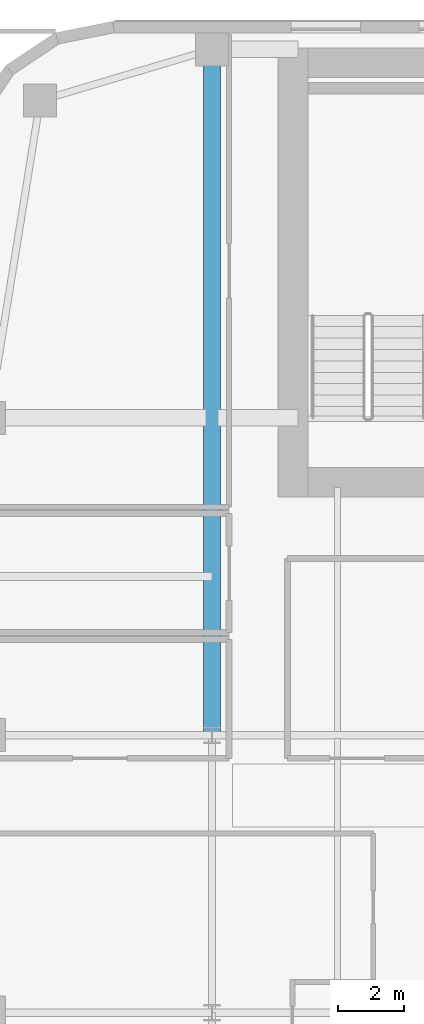
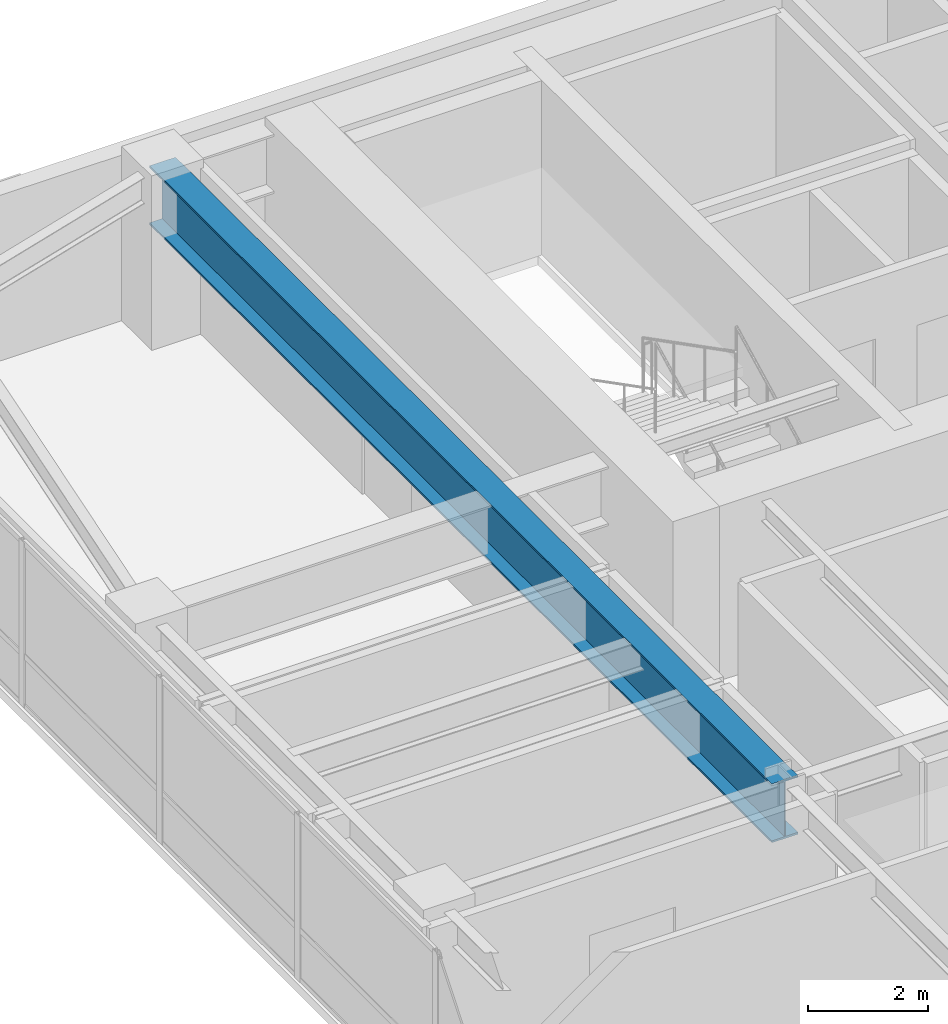
# One storey, part 21 of 37: 1 beam.
"""IFC4 building model written with IfcOpenShell, lengths in metres."""

import ifcopenshell
import ifcopenshell.guid

model = None  # the IFC model being written
_history = None  # IfcOwnerHistory: only IFC2X3 demands one
_inside = {}  # id of a spatial element -> (the spatial element, [elements in it])
_under = {}  # id of a project, library or spatial element -> (it, [spatial elements below it])
_declared = {}  # id of a project -> (the project, [libraries it declares])
_typed = {}  # id of a type object -> (the type object, [elements of that type])
_made_of = {}  # id of a material, layer set ... -> (it, [elements and type objects made of it])


def new_model(schema):
    """Start an empty IFC model of exactly this schema.

    Asked for "IFC4X3", IfcOpenShell would pick the latest addendum, in which some entities
    have other attributes; the version numbers below select the first issue.
    IFC2X3 requires an IfcOwnerHistory on every rooted entity: one is made here for all.
    """
    global model, _history
    if schema == "IFC4X3":
        model = ifcopenshell.file(schema_version=(4, 3, 0, 0))
    else:
        model = ifcopenshell.file(schema=schema)
    _inside.clear()
    _under.clear()
    _declared.clear()
    _typed.clear()
    _made_of.clear()
    _history = None
    if model.schema == "IFC2X3":
        org = make("IfcOrganization", Name="unknown")
        user = make(
            "IfcPersonAndOrganization",
            ThePerson=make("IfcPerson", FamilyName="unknown"),
            TheOrganization=org,
        )
        app = make(
            "IfcApplication",
            ApplicationDeveloper=org,
            Version="unknown",
            ApplicationFullName="unknown",
            ApplicationIdentifier="unknown",
        )
        _history = make(
            "IfcOwnerHistory",
            OwningUser=user,
            OwningApplication=app,
            ChangeAction="ADDED",
            CreationDate=0,
        )
    return model


def make(cls, **values):
    """One entity of the class cls with the attributes given. An attribute that is None is left unset."""
    return model.create_entity(
        cls, **{name: value for name, value in values.items() if value is not None}
    )


def rooted(cls, **values):
    """An entity with a GlobalId (a new one), such as an element, a storey or a relation."""
    return make(cls, GlobalId=ifcopenshell.guid.new(), OwnerHistory=_history, **values)


def si_unit(unit_type, name, prefix=None):
    """IfcSIUnit, for example si_unit("LENGTHUNIT", "METRE", prefix="MILLI")."""
    return make("IfcSIUnit", UnitType=unit_type, Prefix=prefix, Name=name)


def assignment(units):
    """IfcUnitAssignment: the units of a project."""
    return None if units is None else make("IfcUnitAssignment", Units=units)


def point(xyz):
    """IfcCartesianPoint."""
    return None if xyz is None else make("IfcCartesianPoint", Coordinates=xyz)


def direction(xyz):
    """IfcDirection."""
    return None if xyz is None else make("IfcDirection", DirectionRatios=xyz)


def frame(location, z_axis=None, x_axis=None):
    """IfcAxis2Placement3D, a coordinate frame: its origin and axes. An axis left out is left unset."""
    return make(
        "IfcAxis2Placement3D",
        Location=point(location),
        Axis=direction(z_axis),
        RefDirection=direction(x_axis),
    )


def frame_2d(location, x_axis=None):
    """IfcAxis2Placement2D, a coordinate frame in the plane: its origin and x axis."""
    return make(
        "IfcAxis2Placement2D", Location=point(location), RefDirection=direction(x_axis)
    )


def origin():
    """The frame at (0, 0, 0) with its axes left unset."""
    return frame((0.0, 0.0, 0.0))


def origin_2d():
    """The frame at (0, 0) in the plane with its x axis left unset."""
    return frame_2d((0.0, 0.0))


def place(relative_to, where):
    """IfcLocalPlacement: puts the frame where relative to a parent placement (None: the world)."""
    return make(
        "IfcLocalPlacement", PlacementRelTo=relative_to, RelativePlacement=where
    )


def context(
    kind, dimensions, precision=None, world=None, true_north=None, identifier=None
):
    """IfcGeometricRepresentationContext, for example the 3D "Model" context."""
    return make(
        "IfcGeometricRepresentationContext",
        ContextIdentifier=identifier,
        ContextType=kind,
        CoordinateSpaceDimension=dimensions,
        Precision=precision,
        WorldCoordinateSystem=world,
        TrueNorth=true_north,
    )


def subcontext(parent, identifier, kind, view, scale=None):
    """IfcGeometricRepresentationSubContext, for example "Body" below "Model"."""
    return make(
        "IfcGeometricRepresentationSubContext",
        ContextIdentifier=identifier,
        ContextType=kind,
        ParentContext=parent,
        TargetScale=scale,
        TargetView=view,
    )


def project(units=None, contexts=None):
    """IfcProject with its units and contexts."""
    return rooted(
        "IfcProject",
        Name="project",
        RepresentationContexts=contexts,
        UnitsInContext=assignment(units),
    )


def spatial(cls, under=None, at=None, **own):
    """A site, building, storey or space (cls), placed at a placement, below another one or the project."""
    s = rooted(cls, ObjectPlacement=at, **own)
    if under is not None:
        _under.setdefault(under.id(), (under, []))[1].append(s)
    return s


def profile(cls, at=None, kind="AREA", **sizes):
    """A parametric profile (cls). Its sizes go by their IFC names, for example OverallWidth=200.0."""
    return make(cls, ProfileType=kind, Position=at, **sizes)


def i_section(**sizes):
    """IfcIShapeProfileDef."""
    return profile("IfcIShapeProfileDef", **sizes)


def extrude(swept, where, along, depth):
    """IfcExtrudedAreaSolid: the profile swept, set in the frame where, extruded along a direction by depth."""
    return make(
        "IfcExtrudedAreaSolid",
        SweptArea=swept,
        Position=where,
        ExtrudedDirection=direction(along),
        Depth=depth,
    )


def shape(context_of_items, identifier, shape_type, items):
    """IfcShapeRepresentation: the items that make up one representation, for example the "Body"."""
    return make(
        "IfcShapeRepresentation",
        ContextOfItems=context_of_items,
        RepresentationIdentifier=identifier,
        RepresentationType=shape_type,
        Items=items,
    )


def source(mapping_origin, context_of_items, identifier, shape_type, items):
    """IfcRepresentationMap: a shape defined once, which mapped items show again and again."""
    return make(
        "IfcRepresentationMap",
        MappingOrigin=mapping_origin,
        MappedRepresentation=shape(context_of_items, identifier, shape_type, items),
    )


def transform(
    local_origin,
    x_axis=None,
    y_axis=None,
    z_axis=None,
    scale=None,
    scale2=None,
    scale3=None,
    uniform=True,
):
    """IfcCartesianTransformationOperator3D, or its non-uniform kind. x_axis, y_axis, z_axis: its Axis1, 2, 3."""
    if uniform:
        return make(
            "IfcCartesianTransformationOperator3D",
            Axis1=direction(x_axis),
            Axis2=direction(y_axis),
            LocalOrigin=point(local_origin),
            Scale=scale,
            Axis3=direction(z_axis),
        )
    return make(
        "IfcCartesianTransformationOperator3DnonUniform",
        Axis1=direction(x_axis),
        Axis2=direction(y_axis),
        LocalOrigin=point(local_origin),
        Scale=scale,
        Axis3=direction(z_axis),
        Scale2=scale2,
        Scale3=scale3,
    )


def mapped(mapping_source, mapping_target):
    """IfcMappedItem: shows the shape of a source again, moved by a transform."""
    return make(
        "IfcMappedItem", MappingSource=mapping_source, MappingTarget=mapping_target
    )


def material(Name=None, Category=None):
    """IfcMaterial."""
    return make("IfcMaterial", Name=Name, Category=Category)


def material_profile(
    of_material, cross_section, Name=None, Category=None, Priority=None
):
    """IfcMaterialProfile: a cross section and its material."""
    return make(
        "IfcMaterialProfile",
        Name=Name,
        Material=of_material,
        Profile=cross_section,
        Priority=Priority,
        Category=Category,
    )


def profile_set(profiles, Name=None, composite=None):
    """IfcMaterialProfileSet."""
    return make(
        "IfcMaterialProfileSet",
        Name=Name,
        MaterialProfiles=profiles,
        CompositeProfile=composite,
    )


def made_of(thing, what):
    """Note that an element or type object is made of a material, layer set ...; save() writes the relation."""
    if what is not None:
        _made_of.setdefault(what.id(), (what, []))[1].append(thing)
    return thing


def type_object(cls, material=None, **own):
    """A type object (cls), such as IfcWallType, which elements share."""
    return made_of(rooted(cls, **own), material)


def type_shapes(of_type, sources):
    """Give a type object the sources (RepresentationMaps) that its elements show as mapped items."""
    of_type.RepresentationMaps = sources


def element(
    cls,
    number,
    at=None,
    inside=None,
    cuts=None,
    type_object=None,
    material=None,
    context=None,
    identifier="Body",
    shape_type=None,
    held_by="IfcProductDefinitionShape",
    body=None,
    shapes=None,
    **own,
):
    """One element of the class cls, such as IfcWall. Its Tag is "e" and its number.

    at: its placement. inside: the storey or other place that contains it. cuts: it is an
    opening in that element (IfcRelVoidsElement). A single representation is given by context,
    identifier, shape_type and body (its items); several are given by shapes. held_by: the class
    of the entity that holds the representations. save() writes the other relations.
    """
    e = rooted(cls, Tag="e%d" % number, ObjectPlacement=at, **own)
    if body is not None:
        shapes = [shape(context, identifier, shape_type, body)]
    if shapes is not None:
        e.Representation = make(held_by, Representations=shapes)
    if inside is not None:
        _inside.setdefault(inside.id(), (inside, []))[1].append(e)
    if cuts is not None:
        rooted(
            "IfcRelVoidsElement", RelatingBuildingElement=cuts, RelatedOpeningElement=e
        )
    if type_object is not None:
        _typed.setdefault(type_object.id(), (type_object, []))[1].append(e)
    return made_of(e, material)


def aggregate(whole, parts):
    """IfcRelAggregates: a whole, such as a stair, and the parts it consists of."""
    return rooted("IfcRelAggregates", RelatingObject=whole, RelatedObjects=parts)


def save(model, path):
    """Write the relations noted so far, then the file.

    IfcRelAggregates (storeys below a building ...), IfcRelContainedInSpatialStructure (elements
    in a storey), IfcRelDefinesByType, IfcRelAssociatesMaterial and IfcRelDeclares: one each for
    every whole, place, type object, material and project.
    """
    for whole, parts in _under.values():
        aggregate(whole, parts)
    for where, things in _inside.values():
        rooted(
            "IfcRelContainedInSpatialStructure",
            RelatedElements=things,
            RelatingStructure=where,
        )
    for kind, things in _typed.values():
        rooted("IfcRelDefinesByType", RelatedObjects=things, RelatingType=kind)
    for what, things in _made_of.values():
        rooted("IfcRelAssociatesMaterial", RelatedObjects=things, RelatingMaterial=what)
    for by, libraries in _declared.values():
        rooted("IfcRelDeclares", RelatingContext=by, RelatedDefinitions=libraries)
    model.write(path)


model = new_model("IFC4")

# Units and contexts
model_context = context("Model", 3, precision=1e-05, world=origin(), true_north=direction((0.0, 1.0)))
body_context = subcontext(model_context, "Body", "Model", "MODEL_VIEW")
ifc_project = project(units=[si_unit("LENGTHUNIT", "METRE"), si_unit("AREAUNIT", "SQUARE_METRE"), si_unit("VOLUMEUNIT", "CUBIC_METRE"), si_unit("PLANEANGLEUNIT", "RADIAN"), si_unit("MASSUNIT", "GRAM", prefix="KILO")], contexts=[model_context])

# Site, building, storey
site_placement = place(None, origin())
site = spatial("IfcSite", under=ifc_project, at=site_placement, CompositionType="ELEMENT")
building_placement = place(site_placement, origin())
building = spatial("IfcBuilding", under=site, at=building_placement, Name="Tolvann Quenvar Hotel", CompositionType="ELEMENT")
storey_placement = place(building_placement, frame((0.0, 0.0, 53.300048828125)))
storey = spatial("IfcBuildingStorey", under=building, at=storey_placement, Name="L12", CompositionType="ELEMENT", Elevation=53.300048828125)

# Beam
ifc_material = material(Name="Steel Grade 350", Category="steel")
ifc_material_profile = material_profile(ifc_material, i_section(OverallWidth=0.5, OverallDepth=1.199951171875, WebThickness=0.01611328125, FlangeThickness=0.0400390625, at=origin_2d()), Name="1200WB455")
ifc_profile_set = profile_set([ifc_material_profile], Name="Steel Grade 350")
beam_type = type_object("IfcBeamType", Name="BM_TG_1200WB455", PredefinedType="USERDEFINED", material=ifc_profile_set)
shared_shape = source(origin(), body_context, "Body", "SweptSolid", [
    extrude(i_section(OverallWidth=0.5, OverallDepth=1.199951171875, WebThickness=0.01611328125, FlangeThickness=0.0400390625, at=origin_2d()), origin(), (0.0, 0.0, 1.0), 20.75),
])
type_shapes(beam_type, [shared_shape])
beam_placement = place(storey_placement, frame((7.60009765625, 24.39990234375, 2.77001953125), z_axis=(0.0, 1.0, 0.0), x_axis=(-1.0, 0.0, 0.0)))
element("IfcBeam", 1, at=beam_placement, inside=storey, type_object=beam_type, Name="BM-L12-FLK-WC", ObjectType="TRANSFER GIRDER", PredefinedType="USERDEFINED", context=body_context, shape_type="MappedRepresentation", body=[
    mapped(shared_shape, transform((0.0, 0.0, 0.0), x_axis=(1.0, 0.0, 0.0), y_axis=(0.0, 1.0, 0.0), z_axis=(0.0, 0.0, 1.0), scale=1.0)),
])

save(model, "model.ifc")
